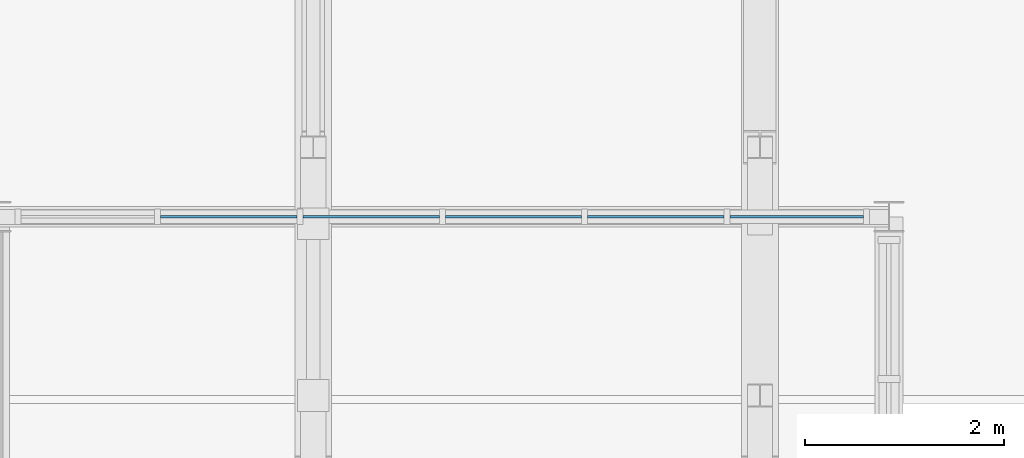
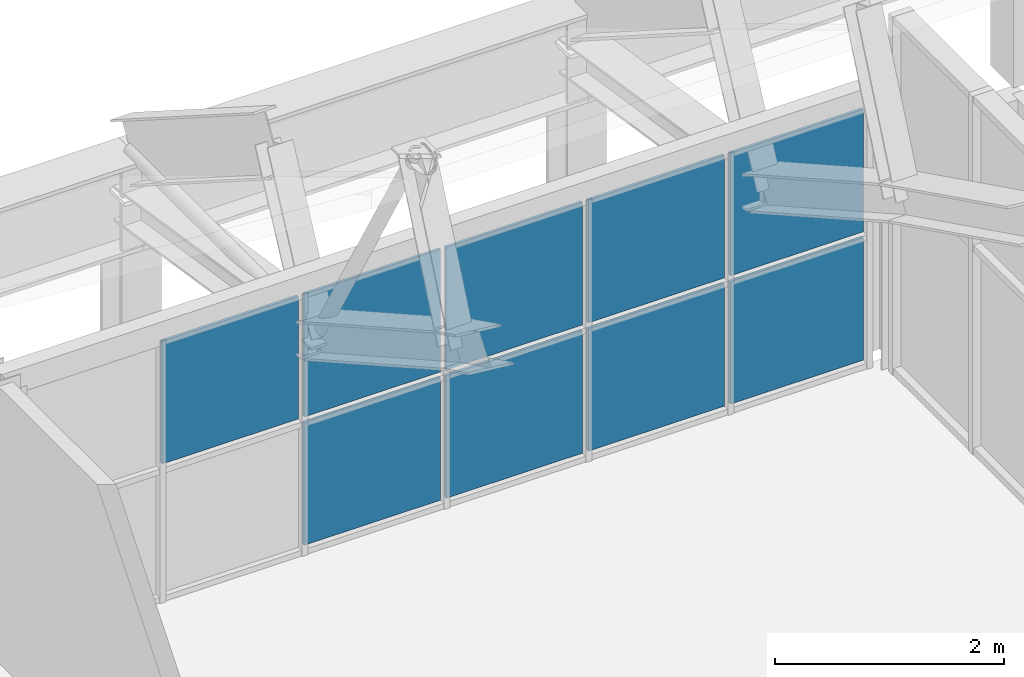
# One storey, part 105 of 134: 9 plates, 1 element without a shape of its own.
"""IFC4 building model written with IfcOpenShell, lengths in metres."""

from ifc_helpers import new_model, si_unit, direction, frame, origin, origin_2d, place, context, subcontext, project, spatial, rectangle, extrude, material, layer, layer_set, type_object, element, aggregate, save


model = new_model("IFC4")

# Units and contexts
model_context = context("Model", 3, precision=1e-05, world=origin(), true_north=direction((0.0, 1.0)))
body_context = subcontext(model_context, "Body", "Model", "MODEL_VIEW")
ifc_project = project(units=[si_unit("LENGTHUNIT", "METRE"), si_unit("AREAUNIT", "SQUARE_METRE"), si_unit("VOLUMEUNIT", "CUBIC_METRE"), si_unit("PLANEANGLEUNIT", "RADIAN"), si_unit("MASSUNIT", "GRAM", prefix="KILO")], contexts=[model_context])

# Site, building, storey
site_placement = place(None, origin())
site = spatial("IfcSite", under=ifc_project, at=site_placement, CompositionType="ELEMENT")
building_placement = place(site_placement, origin())
building = spatial("IfcBuilding", under=site, at=building_placement, Name="Cazmaro Siding Exhibition Halls", CompositionType="ELEMENT")
storey_placement = place(building_placement, frame((0.0, 0.0, 12.0)))
storey = spatial("IfcBuildingStorey", under=building, at=storey_placement, Name="L02", CompositionType="ELEMENT", Elevation=12.0)

# Curtain wall, plates
ifc_material_1 = material(Name="Anodized Bronze Aluminum and Solar-Control Low-E Glazing", Category="aluminium")
ifc_layer_1 = layer(ifc_material_1, 0.159912109375)
ifc_layer_set_1 = layer_set([ifc_layer_1], Name="Anodized Bronze Aluminum and Solar-Control Low-E Glazing")
curtain_wall_type = type_object("IfcCurtainWallType", Name="CWS-04", PredefinedType="USERDEFINED", material=ifc_layer_set_1)
curtain_wall_placement = place(storey_placement, origin())
curtain_wall = element("IfcCurtainWall", 1, at=curtain_wall_placement, inside=storey, type_object=curtain_wall_type, Name="Clerestory Curtain Wall CWS-04 CW-049", ObjectType="CLERESTORY CURTAIN WALL", PredefinedType="USERDEFINED")
ifc_material_2 = material(Name="Solar-Control Low-E Double Insulating Glass", Category="glass")
ifc_layer_2 = layer(ifc_material_2, 0.028076171875)
ifc_layer_set_2 = layer_set([ifc_layer_2], Name="Solar-Control Low-E Double Insulating Glass")
plate_type = type_object("IfcPlateType", Name="CWP-04", PredefinedType="CURTAIN_PANEL", material=ifc_layer_set_2)
plate_1_placement = place(storey_placement, frame((166.870849609375, 120.800048828125, 0.06005859375), z_axis=(0.0, 0.0, 1.0), x_axis=(-1.0, 0.0, 0.0)))
plate_1 = element("IfcPlate", 2, at=plate_1_placement, type_object=plate_type, Name="CWS-04 panel 1.1", PredefinedType="CURTAIN_PANEL", context=body_context, shape_type="SweptSolid", body=[
    extrude(rectangle(XDim=1.34423828125, YDim=0.028076171875, at=origin_2d()), origin(), (0.0, 0.0, 1.0), 1.31005859375),
])
plate_2_placement = place(storey_placement, frame((166.870849609375, 120.800048828125, 1.429931640625), z_axis=(0.0, 0.0, 1.0), x_axis=(-1.0, 0.0, 0.0)))
plate_2 = element("IfcPlate", 3, at=plate_2_placement, type_object=plate_type, Name="CWS-04 panel 1.2", PredefinedType="CURTAIN_PANEL", context=body_context, shape_type="SweptSolid", body=[
    extrude(rectangle(XDim=1.34423828125, YDim=0.028076171875, at=origin_2d()), origin(), (0.0, 0.0, 1.0), 1.31005859375),
])
plate_3_placement = place(storey_placement, frame((165.451416015625, 120.800048828125, 0.06005859375), z_axis=(0.0, 0.0, 1.0), x_axis=(-1.0, 0.0, 0.0)))
plate_3 = element("IfcPlate", 4, at=plate_3_placement, type_object=plate_type, Name="CWS-04 panel 2.1", PredefinedType="CURTAIN_PANEL", context=body_context, shape_type="SweptSolid", body=[
    extrude(rectangle(XDim=1.374267578125, YDim=0.028076171875, at=origin_2d()), origin(), (0.0, 0.0, 1.0), 1.31005859375),
])
plate_4_placement = place(storey_placement, frame((165.451416015625, 120.800048828125, 1.429931640625), z_axis=(0.0, 0.0, 1.0), x_axis=(-1.0, 0.0, 0.0)))
plate_4 = element("IfcPlate", 5, at=plate_4_placement, type_object=plate_type, Name="CWS-04 panel 2.2", PredefinedType="CURTAIN_PANEL", context=body_context, shape_type="SweptSolid", body=[
    extrude(rectangle(XDim=1.374267578125, YDim=0.028076171875, at=origin_2d()), origin(), (0.0, 0.0, 1.0), 1.31005859375),
])
plate_5_placement = place(storey_placement, frame((164.01708984375, 120.800048828125, 0.06005859375), z_axis=(0.0, 0.0, 1.0), x_axis=(-1.0, 0.0, 0.0)))
plate_5 = element("IfcPlate", 6, at=plate_5_placement, type_object=plate_type, Name="CWS-04 panel 3.1", PredefinedType="CURTAIN_PANEL", context=body_context, shape_type="SweptSolid", body=[
    extrude(rectangle(XDim=1.374267578125, YDim=0.028076171875, at=origin_2d()), origin(), (0.0, 0.0, 1.0), 1.31005859375),
])
plate_6_placement = place(storey_placement, frame((164.01708984375, 120.800048828125, 1.429931640625), z_axis=(0.0, 0.0, 1.0), x_axis=(-1.0, 0.0, 0.0)))
plate_6 = element("IfcPlate", 7, at=plate_6_placement, type_object=plate_type, Name="CWS-04 panel 3.2", PredefinedType="CURTAIN_PANEL", context=body_context, shape_type="SweptSolid", body=[
    extrude(rectangle(XDim=1.374267578125, YDim=0.028076171875, at=origin_2d()), origin(), (0.0, 0.0, 1.0), 1.31005859375),
])
plate_7_placement = place(storey_placement, frame((162.582763671875, 120.800048828125, 0.06005859375), z_axis=(0.0, 0.0, 1.0), x_axis=(-1.0, 0.0, 0.0)))
plate_7 = element("IfcPlate", 8, at=plate_7_placement, type_object=plate_type, Name="CWS-04 panel 4.1", PredefinedType="CURTAIN_PANEL", context=body_context, shape_type="SweptSolid", body=[
    extrude(rectangle(XDim=1.374267578125, YDim=0.028076171875, at=origin_2d()), origin(), (0.0, 0.0, 1.0), 1.31005859375),
])
plate_8_placement = place(storey_placement, frame((162.582763671875, 120.800048828125, 1.429931640625), z_axis=(0.0, 0.0, 1.0), x_axis=(-1.0, 0.0, 0.0)))
plate_8 = element("IfcPlate", 9, at=plate_8_placement, type_object=plate_type, Name="CWS-04 panel 4.2", PredefinedType="CURTAIN_PANEL", context=body_context, shape_type="SweptSolid", body=[
    extrude(rectangle(XDim=1.374267578125, YDim=0.028076171875, at=origin_2d()), origin(), (0.0, 0.0, 1.0), 1.31005859375),
])
plate_9_placement = place(storey_placement, frame((161.1484375, 120.800048828125, 1.429931640625), z_axis=(0.0, 0.0, 1.0), x_axis=(-1.0, 0.0, 0.0)))
plate_9 = element("IfcPlate", 10, at=plate_9_placement, type_object=plate_type, Name="CWS-04 panel 5.2", PredefinedType="CURTAIN_PANEL", context=body_context, shape_type="SweptSolid", body=[
    extrude(rectangle(XDim=1.374267578125, YDim=0.028076171875, at=origin_2d()), origin(), (0.0, 0.0, 1.0), 1.31005859375),
])
aggregate(curtain_wall, [plate_1, plate_2, plate_3, plate_4, plate_5, plate_6, plate_7, plate_8, plate_9])

save(model, "model.ifc")
